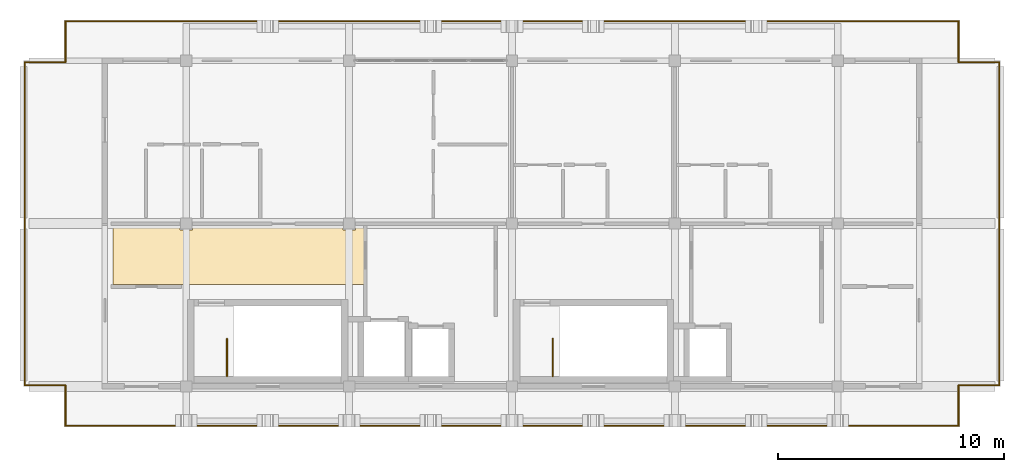
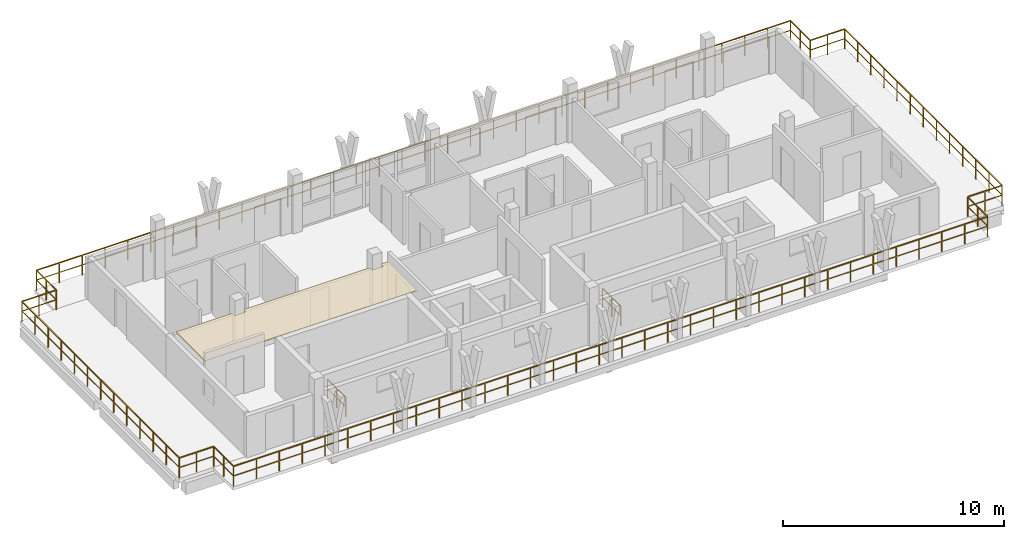
# One storey, part 7 of 7: 14 railings, 1 covering.
"""IFC4 building model written with IfcOpenShell, lengths in metres."""

from ifc_helpers import new_model, si_unit, direction, frame, origin, origin_2d, place, context, subcontext, project, spatial, polyline, rectangle, outline, extrude, material, layer, layer_set, type_object, element, save


model = new_model("IFC4")

# Units and contexts
model_context = context("Model", 3, precision=1e-05, world=origin(), true_north=direction((0.0, 1.0)))
body_context = subcontext(model_context, "Body", "Model", "MODEL_VIEW")
ifc_project = project(units=[si_unit("LENGTHUNIT", "METRE"), si_unit("AREAUNIT", "SQUARE_METRE"), si_unit("VOLUMEUNIT", "CUBIC_METRE"), si_unit("PLANEANGLEUNIT", "RADIAN"), si_unit("MASSUNIT", "GRAM", prefix="KILO")], contexts=[model_context])

# Site, building, storey
site_placement = place(None, origin())
site = spatial("IfcSite", under=ifc_project, at=site_placement, CompositionType="ELEMENT")
building_placement = place(site_placement, origin())
building = spatial("IfcBuilding", under=site, at=building_placement, Name="Suanplinth Sawtooth Commons", CompositionType="ELEMENT")
storey_placement = place(building_placement, frame((0.0, 0.0, 50.89990234375)))
storey = spatial("IfcBuildingStorey", under=building, at=storey_placement, Name="L15", CompositionType="ELEMENT", Elevation=50.89990234375)

# Covering
ifc_material_1 = material(Name="Mineral fibre acoustic tile")
ifc_layer = layer(ifc_material_1, 0.0400390625, Name="Perforated mineral-fibre acoustic suspended ceiling")
ifc_layer_set = layer_set([ifc_layer], Name="Mineral fibre acoustic tile")
covering_type = type_object("IfcCoveringType", Name="CV-CE01", PredefinedType="CEILING", material=ifc_layer_set)
covering_placement = place(storey_placement, frame((0.0, 0.0, 2.380126953125)))
element("IfcCovering", 1, at=covering_placement, inside=storey, type_object=covering_type, Name="L15 Block A Corridor Acoustic Ceiling", PredefinedType="CEILING", context=body_context, shape_type="SweptSolid", body=[
    extrude(outline(polyline([(39.9599609375, 112.5), (39.9599609375, 115.1201171875), (42.919921875, 115.1201171875), (42.919921875, 114.919921875), (43.47998046875, 114.919921875), (43.47998046875, 115.1201171875), (50.1201171875, 115.1201171875), (50.1201171875, 114.919921875), (50.679931640625, 114.919921875), (50.679931640625, 115.1201171875), (51.080078125, 115.1201171875), (51.080078125, 112.5), (39.9599609375, 112.5)])), origin(), (0.0, 0.0, 1.0), 0.0400390625),
])

# Railings
ifc_material_2 = material(Name="Powder-coated galvanized steel", Category="steel")
railing_type_1 = type_object("IfcRailingType", Name="GR-01", PredefinedType="BALUSTRADE", material=ifc_material_2)
railing_1_placement = place(storey_placement, frame((37.860107421875, 108.06005859375, 0.0)))
element("IfcRailing", 2, at=railing_1_placement, inside=storey, type_object=railing_type_1, Name="L15 Block A Perimeter Balustrade 1", PredefinedType="BALUSTRADE", context=body_context, shape_type="SweptSolid", body=[
    extrude(rectangle(XDim=0.048095703125, YDim=0.048095703125, at=origin_2d()), frame((0.0, 0.0, 1.09619140625), z_axis=(-1.0, 0.0, 0.0), x_axis=(0.0, -1.0, 0.0)), (0.0, 0.0, 1.0), 1.800048828125),
    extrude(rectangle(XDim=0.03369140625, YDim=0.03369140625, at=origin_2d()), frame((0.0, 0.0, 0.56005859375), z_axis=(-1.0, 0.0, 0.0), x_axis=(0.0, -1.0, 0.0)), (0.0, 0.0, 1.0), 1.800048828125),
    extrude(rectangle(XDim=0.0419921875, YDim=0.0419921875, at=origin_2d()), origin(), (0.0, 0.0, 1.0), 1.072021484375),
    extrude(rectangle(XDim=0.0419921875, YDim=0.0419921875, at=origin_2d()), frame((-0.89990234375, 0.0, 0.0)), (0.0, 0.0, 1.0), 1.072021484375),
    extrude(rectangle(XDim=0.0419921875, YDim=0.0419921875, at=origin_2d()), frame((-1.800048828125, 0.0, 0.0)), (0.0, 0.0, 1.0), 1.072021484375),
])
railing_2_placement = place(storey_placement, frame((36.06005859375, 108.06005859375, 0.0)))
element("IfcRailing", 3, at=railing_2_placement, inside=storey, type_object=railing_type_1, Name="L15 Block A Perimeter Balustrade 2", PredefinedType="BALUSTRADE", context=body_context, shape_type="SweptSolid", body=[
    extrude(rectangle(XDim=0.048095703125, YDim=0.048095703125, at=origin_2d()), frame((0.0, 0.0, 1.09619140625), z_axis=(0.0, 1.0, 0.0), x_axis=(-1.0, 0.0, 0.0)), (0.0, 0.0, 1.0), 14.280029296875),
    extrude(rectangle(XDim=0.03369140625, YDim=0.03369140625, at=origin_2d()), frame((0.0, 0.0, 0.56005859375), z_axis=(0.0, 1.0, 0.0), x_axis=(-1.0, 0.0, 0.0)), (0.0, 0.0, 1.0), 14.280029296875),
    extrude(rectangle(XDim=0.0419921875, YDim=0.0419921875, at=origin_2d()), origin(), (0.0, 0.0, 1.0), 1.072021484375),
    extrude(rectangle(XDim=0.0419921875, YDim=0.0419921875, at=origin_2d()), frame((0.0, 1.18994140625, 0.0)), (0.0, 0.0, 1.0), 1.072021484375),
    extrude(rectangle(XDim=0.0419921875, YDim=0.0419921875, at=origin_2d()), frame((0.0, 2.3798828125, 0.0)), (0.0, 0.0, 1.0), 1.072021484375),
    extrude(rectangle(XDim=0.0419921875, YDim=0.0419921875, at=origin_2d()), frame((0.0, 3.570068359375, 0.0)), (0.0, 0.0, 1.0), 1.072021484375),
    extrude(rectangle(XDim=0.0419921875, YDim=0.0419921875, at=origin_2d()), frame((0.0, 4.760009765625, 0.0)), (0.0, 0.0, 1.0), 1.072021484375),
    extrude(rectangle(XDim=0.0419921875, YDim=0.0419921875, at=origin_2d()), frame((0.0, 5.949951171875, 0.0)), (0.0, 0.0, 1.0), 1.072021484375),
    extrude(rectangle(XDim=0.0419921875, YDim=0.0419921875, at=origin_2d()), frame((0.0, 7.14013671875, 0.0)), (0.0, 0.0, 1.0), 1.072021484375),
    extrude(rectangle(XDim=0.0419921875, YDim=0.0419921875, at=origin_2d()), frame((0.0, 8.330078125, 0.0)), (0.0, 0.0, 1.0), 1.072021484375),
    extrude(rectangle(XDim=0.0419921875, YDim=0.0419921875, at=origin_2d()), frame((0.0, 9.52001953125, 0.0)), (0.0, 0.0, 1.0), 1.072021484375),
    extrude(rectangle(XDim=0.0419921875, YDim=0.0419921875, at=origin_2d()), frame((0.0, 10.7099609375, 0.0)), (0.0, 0.0, 1.0), 1.072021484375),
    extrude(rectangle(XDim=0.0419921875, YDim=0.0419921875, at=origin_2d()), frame((0.0, 11.89990234375, 0.0)), (0.0, 0.0, 1.0), 1.072021484375),
    extrude(rectangle(XDim=0.0419921875, YDim=0.0419921875, at=origin_2d()), frame((0.0, 13.090087890625, 0.0)), (0.0, 0.0, 1.0), 1.072021484375),
    extrude(rectangle(XDim=0.0419921875, YDim=0.0419921875, at=origin_2d()), frame((0.0, 14.280029296875, 0.0)), (0.0, 0.0, 1.0), 1.072021484375),
])
railing_3_placement = place(storey_placement, frame((36.06005859375, 122.340087890625, 0.0)))
element("IfcRailing", 4, at=railing_3_placement, inside=storey, type_object=railing_type_1, Name="L15 Block A Perimeter Balustrade 3", PredefinedType="BALUSTRADE", context=body_context, shape_type="SweptSolid", body=[
    extrude(rectangle(XDim=0.048095703125, YDim=0.048095703125, at=origin_2d()), frame((0.0, 0.0, 1.09619140625), z_axis=(1.0, 0.0, 0.0), x_axis=(0.0, 1.0, 0.0)), (0.0, 0.0, 1.0), 1.800048828125),
    extrude(rectangle(XDim=0.03369140625, YDim=0.03369140625, at=origin_2d()), frame((0.0, 0.0, 0.56005859375), z_axis=(1.0, 0.0, 0.0), x_axis=(0.0, 1.0, 0.0)), (0.0, 0.0, 1.0), 1.800048828125),
    extrude(rectangle(XDim=0.0419921875, YDim=0.0419921875, at=origin_2d()), origin(), (0.0, 0.0, 1.0), 1.072021484375),
    extrude(rectangle(XDim=0.0419921875, YDim=0.0419921875, at=origin_2d()), frame((0.89990234375, 0.0, 0.0)), (0.0, 0.0, 1.0), 1.072021484375),
    extrude(rectangle(XDim=0.0419921875, YDim=0.0419921875, at=origin_2d()), frame((1.800048828125, 0.0, 0.0)), (0.0, 0.0, 1.0), 1.072021484375),
])
railing_4_placement = place(storey_placement, frame((37.860107421875, 122.340087890625, 0.0)))
element("IfcRailing", 5, at=railing_4_placement, inside=storey, type_object=railing_type_1, Name="L15 Block A Perimeter Balustrade 4", PredefinedType="BALUSTRADE", context=body_context, shape_type="SweptSolid", body=[
    extrude(rectangle(XDim=0.048095703125, YDim=0.048095703125, at=origin_2d()), frame((0.0, 0.0, 1.09619140625), z_axis=(0.0, 1.0, 0.0), x_axis=(-1.0, 0.0, 0.0)), (0.0, 0.0, 1.0), 1.7998046875),
    extrude(rectangle(XDim=0.03369140625, YDim=0.03369140625, at=origin_2d()), frame((0.0, 0.0, 0.56005859375), z_axis=(0.0, 1.0, 0.0), x_axis=(-1.0, 0.0, 0.0)), (0.0, 0.0, 1.0), 1.7998046875),
    extrude(rectangle(XDim=0.0419921875, YDim=0.0419921875, at=origin_2d()), origin(), (0.0, 0.0, 1.0), 1.072021484375),
    extrude(rectangle(XDim=0.0419921875, YDim=0.0419921875, at=origin_2d()), frame((0.0, 0.89990234375, 0.0)), (0.0, 0.0, 1.0), 1.072021484375),
    extrude(rectangle(XDim=0.0419921875, YDim=0.0419921875, at=origin_2d()), frame((0.0, 1.7998046875, 0.0)), (0.0, 0.0, 1.0), 1.072021484375),
])
railing_5_placement = place(storey_placement, frame((37.860107421875, 124.139892578125, 0.0)))
element("IfcRailing", 6, at=railing_5_placement, inside=storey, type_object=railing_type_1, Name="L15 Block A Perimeter Balustrade 5", PredefinedType="BALUSTRADE", context=body_context, shape_type="SweptSolid", body=[
    extrude(rectangle(XDim=0.048095703125, YDim=0.048095703125, at=origin_2d()), frame((0.0, 0.0, 1.09619140625), z_axis=(1.0, 0.0, 0.0), x_axis=(0.0, 1.0, 0.0)), (0.0, 0.0, 1.0), 39.47998046875),
    extrude(rectangle(XDim=0.03369140625, YDim=0.03369140625, at=origin_2d()), frame((0.0, 0.0, 0.56005859375), z_axis=(1.0, 0.0, 0.0), x_axis=(0.0, 1.0, 0.0)), (0.0, 0.0, 1.0), 39.47998046875),
    extrude(rectangle(XDim=0.0419921875, YDim=0.0419921875, at=origin_2d()), origin(), (0.0, 0.0, 1.0), 1.072021484375),
    extrude(rectangle(XDim=0.0419921875, YDim=0.0419921875, at=origin_2d()), frame((1.1962890625, 0.0, 0.0)), (0.0, 0.0, 1.0), 1.072021484375),
    extrude(rectangle(XDim=0.0419921875, YDim=0.0419921875, at=origin_2d()), frame((2.392822265625, 0.0, 0.0)), (0.0, 0.0, 1.0), 1.072021484375),
    extrude(rectangle(XDim=0.0419921875, YDim=0.0419921875, at=origin_2d()), frame((3.589111328125, 0.0, 0.0)), (0.0, 0.0, 1.0), 1.072021484375),
    extrude(rectangle(XDim=0.0419921875, YDim=0.0419921875, at=origin_2d()), frame((4.785400390625, 0.0, 0.0)), (0.0, 0.0, 1.0), 1.072021484375),
    extrude(rectangle(XDim=0.0419921875, YDim=0.0419921875, at=origin_2d()), frame((5.98193359375, 0.0, 0.0)), (0.0, 0.0, 1.0), 1.072021484375),
    extrude(rectangle(XDim=0.0419921875, YDim=0.0419921875, at=origin_2d()), frame((7.17822265625, 0.0, 0.0)), (0.0, 0.0, 1.0), 1.072021484375),
    extrude(rectangle(XDim=0.0419921875, YDim=0.0419921875, at=origin_2d()), frame((8.37451171875, 0.0, 0.0)), (0.0, 0.0, 1.0), 1.072021484375),
    extrude(rectangle(XDim=0.0419921875, YDim=0.0419921875, at=origin_2d()), frame((9.57080078125, 0.0, 0.0)), (0.0, 0.0, 1.0), 1.072021484375),
    extrude(rectangle(XDim=0.0419921875, YDim=0.0419921875, at=origin_2d()), frame((10.767333984375, 0.0, 0.0)), (0.0, 0.0, 1.0), 1.072021484375),
    extrude(rectangle(XDim=0.0419921875, YDim=0.0419921875, at=origin_2d()), frame((11.963623046875, 0.0, 0.0)), (0.0, 0.0, 1.0), 1.072021484375),
    extrude(rectangle(XDim=0.0419921875, YDim=0.0419921875, at=origin_2d()), frame((13.159912109375, 0.0, 0.0)), (0.0, 0.0, 1.0), 1.072021484375),
    extrude(rectangle(XDim=0.0419921875, YDim=0.0419921875, at=origin_2d()), frame((14.3564453125, 0.0, 0.0)), (0.0, 0.0, 1.0), 1.072021484375),
    extrude(rectangle(XDim=0.0419921875, YDim=0.0419921875, at=origin_2d()), frame((15.552734375, 0.0, 0.0)), (0.0, 0.0, 1.0), 1.072021484375),
    extrude(rectangle(XDim=0.0419921875, YDim=0.0419921875, at=origin_2d()), frame((16.7490234375, 0.0, 0.0)), (0.0, 0.0, 1.0), 1.072021484375),
    extrude(rectangle(XDim=0.0419921875, YDim=0.0419921875, at=origin_2d()), frame((17.945556640625, 0.0, 0.0)), (0.0, 0.0, 1.0), 1.072021484375),
    extrude(rectangle(XDim=0.0419921875, YDim=0.0419921875, at=origin_2d()), frame((19.141845703125, 0.0, 0.0)), (0.0, 0.0, 1.0), 1.072021484375),
    extrude(rectangle(XDim=0.0419921875, YDim=0.0419921875, at=origin_2d()), frame((20.338134765625, 0.0, 0.0)), (0.0, 0.0, 1.0), 1.072021484375),
    extrude(rectangle(XDim=0.0419921875, YDim=0.0419921875, at=origin_2d()), frame((21.534423828125, 0.0, 0.0)), (0.0, 0.0, 1.0), 1.072021484375),
    extrude(rectangle(XDim=0.0419921875, YDim=0.0419921875, at=origin_2d()), frame((22.73095703125, 0.0, 0.0)), (0.0, 0.0, 1.0), 1.072021484375),
    extrude(rectangle(XDim=0.0419921875, YDim=0.0419921875, at=origin_2d()), frame((23.92724609375, 0.0, 0.0)), (0.0, 0.0, 1.0), 1.072021484375),
    extrude(rectangle(XDim=0.0419921875, YDim=0.0419921875, at=origin_2d()), frame((25.12353515625, 0.0, 0.0)), (0.0, 0.0, 1.0), 1.072021484375),
    extrude(rectangle(XDim=0.0419921875, YDim=0.0419921875, at=origin_2d()), frame((26.320068359375, 0.0, 0.0)), (0.0, 0.0, 1.0), 1.072021484375),
    extrude(rectangle(XDim=0.0419921875, YDim=0.0419921875, at=origin_2d()), frame((27.516357421875, 0.0, 0.0)), (0.0, 0.0, 1.0), 1.072021484375),
    extrude(rectangle(XDim=0.0419921875, YDim=0.0419921875, at=origin_2d()), frame((28.712646484375, 0.0, 0.0)), (0.0, 0.0, 1.0), 1.072021484375),
    extrude(rectangle(XDim=0.0419921875, YDim=0.0419921875, at=origin_2d()), frame((29.9091796875, 0.0, 0.0)), (0.0, 0.0, 1.0), 1.072021484375),
    extrude(rectangle(XDim=0.0419921875, YDim=0.0419921875, at=origin_2d()), frame((31.10546875, 0.0, 0.0)), (0.0, 0.0, 1.0), 1.072021484375),
    extrude(rectangle(XDim=0.0419921875, YDim=0.0419921875, at=origin_2d()), frame((32.3017578125, 0.0, 0.0)), (0.0, 0.0, 1.0), 1.072021484375),
    extrude(rectangle(XDim=0.0419921875, YDim=0.0419921875, at=origin_2d()), frame((33.498046875, 0.0, 0.0)), (0.0, 0.0, 1.0), 1.072021484375),
    extrude(rectangle(XDim=0.0419921875, YDim=0.0419921875, at=origin_2d()), frame((34.694580078125, 0.0, 0.0)), (0.0, 0.0, 1.0), 1.072021484375),
    extrude(rectangle(XDim=0.0419921875, YDim=0.0419921875, at=origin_2d()), frame((35.890869140625, 0.0, 0.0)), (0.0, 0.0, 1.0), 1.072021484375),
    extrude(rectangle(XDim=0.0419921875, YDim=0.0419921875, at=origin_2d()), frame((37.087158203125, 0.0, 0.0)), (0.0, 0.0, 1.0), 1.072021484375),
    extrude(rectangle(XDim=0.0419921875, YDim=0.0419921875, at=origin_2d()), frame((38.28369140625, 0.0, 0.0)), (0.0, 0.0, 1.0), 1.072021484375),
    extrude(rectangle(XDim=0.0419921875, YDim=0.0419921875, at=origin_2d()), frame((39.47998046875, 0.0, 0.0)), (0.0, 0.0, 1.0), 1.072021484375),
])
railing_6_placement = place(storey_placement, frame((77.340087890625, 124.139892578125, 0.0)))
element("IfcRailing", 7, at=railing_6_placement, inside=storey, type_object=railing_type_1, Name="L15 Block A Perimeter Balustrade 6", PredefinedType="BALUSTRADE", context=body_context, shape_type="SweptSolid", body=[
    extrude(rectangle(XDim=0.048095703125, YDim=0.048095703125, at=origin_2d()), frame((0.0, 0.0, 1.09619140625), z_axis=(0.0, -1.0, 0.0), x_axis=(1.0, 0.0, 0.0)), (0.0, 0.0, 1.0), 1.7998046875),
    extrude(rectangle(XDim=0.03369140625, YDim=0.03369140625, at=origin_2d()), frame((0.0, 0.0, 0.56005859375), z_axis=(0.0, -1.0, 0.0), x_axis=(1.0, 0.0, 0.0)), (0.0, 0.0, 1.0), 1.7998046875),
    extrude(rectangle(XDim=0.0419921875, YDim=0.0419921875, at=origin_2d()), origin(), (0.0, 0.0, 1.0), 1.072021484375),
    extrude(rectangle(XDim=0.0419921875, YDim=0.0419921875, at=origin_2d()), frame((0.0, -0.89990234375, 0.0)), (0.0, 0.0, 1.0), 1.072021484375),
    extrude(rectangle(XDim=0.0419921875, YDim=0.0419921875, at=origin_2d()), frame((0.0, -1.7998046875, 0.0)), (0.0, 0.0, 1.0), 1.072021484375),
])
railing_7_placement = place(storey_placement, frame((77.340087890625, 122.340087890625, 0.0)))
element("IfcRailing", 8, at=railing_7_placement, inside=storey, type_object=railing_type_1, Name="L15 Block A Perimeter Balustrade 7", PredefinedType="BALUSTRADE", context=body_context, shape_type="SweptSolid", body=[
    extrude(rectangle(XDim=0.048095703125, YDim=0.048095703125, at=origin_2d()), frame((0.0, 0.0, 1.09619140625), z_axis=(1.0, 0.0, 0.0), x_axis=(0.0, 1.0, 0.0)), (0.0, 0.0, 1.0), 1.7998046875),
    extrude(rectangle(XDim=0.03369140625, YDim=0.03369140625, at=origin_2d()), frame((0.0, 0.0, 0.56005859375), z_axis=(1.0, 0.0, 0.0), x_axis=(0.0, 1.0, 0.0)), (0.0, 0.0, 1.0), 1.7998046875),
    extrude(rectangle(XDim=0.0419921875, YDim=0.0419921875, at=origin_2d()), origin(), (0.0, 0.0, 1.0), 1.072021484375),
    extrude(rectangle(XDim=0.0419921875, YDim=0.0419921875, at=origin_2d()), frame((0.89990234375, 0.0, 0.0)), (0.0, 0.0, 1.0), 1.072021484375),
    extrude(rectangle(XDim=0.0419921875, YDim=0.0419921875, at=origin_2d()), frame((1.7998046875, 0.0, 0.0)), (0.0, 0.0, 1.0), 1.072021484375),
])
railing_8_placement = place(storey_placement, frame((79.139892578125, 122.340087890625, 0.0)))
element("IfcRailing", 9, at=railing_8_placement, inside=storey, type_object=railing_type_1, Name="L15 Block A Perimeter Balustrade 8", PredefinedType="BALUSTRADE", context=body_context, shape_type="SweptSolid", body=[
    extrude(rectangle(XDim=0.048095703125, YDim=0.048095703125, at=origin_2d()), frame((0.0, 0.0, 1.09619140625), z_axis=(0.0, -1.0, 0.0), x_axis=(1.0, 0.0, 0.0)), (0.0, 0.0, 1.0), 14.280029296875),
    extrude(rectangle(XDim=0.03369140625, YDim=0.03369140625, at=origin_2d()), frame((0.0, 0.0, 0.56005859375), z_axis=(0.0, -1.0, 0.0), x_axis=(1.0, 0.0, 0.0)), (0.0, 0.0, 1.0), 14.280029296875),
    extrude(rectangle(XDim=0.0419921875, YDim=0.0419921875, at=origin_2d()), origin(), (0.0, 0.0, 1.0), 1.072021484375),
    extrude(rectangle(XDim=0.0419921875, YDim=0.0419921875, at=origin_2d()), frame((0.0, -1.18994140625, 0.0)), (0.0, 0.0, 1.0), 1.072021484375),
    extrude(rectangle(XDim=0.0419921875, YDim=0.0419921875, at=origin_2d()), frame((0.0, -2.3798828125, 0.0)), (0.0, 0.0, 1.0), 1.072021484375),
    extrude(rectangle(XDim=0.0419921875, YDim=0.0419921875, at=origin_2d()), frame((0.0, -3.570068359375, 0.0)), (0.0, 0.0, 1.0), 1.072021484375),
    extrude(rectangle(XDim=0.0419921875, YDim=0.0419921875, at=origin_2d()), frame((0.0, -4.760009765625, 0.0)), (0.0, 0.0, 1.0), 1.072021484375),
    extrude(rectangle(XDim=0.0419921875, YDim=0.0419921875, at=origin_2d()), frame((0.0, -5.949951171875, 0.0)), (0.0, 0.0, 1.0), 1.072021484375),
    extrude(rectangle(XDim=0.0419921875, YDim=0.0419921875, at=origin_2d()), frame((0.0, -7.14013671875, 0.0)), (0.0, 0.0, 1.0), 1.072021484375),
    extrude(rectangle(XDim=0.0419921875, YDim=0.0419921875, at=origin_2d()), frame((0.0, -8.330078125, 0.0)), (0.0, 0.0, 1.0), 1.072021484375),
    extrude(rectangle(XDim=0.0419921875, YDim=0.0419921875, at=origin_2d()), frame((0.0, -9.52001953125, 0.0)), (0.0, 0.0, 1.0), 1.072021484375),
    extrude(rectangle(XDim=0.0419921875, YDim=0.0419921875, at=origin_2d()), frame((0.0, -10.7099609375, 0.0)), (0.0, 0.0, 1.0), 1.072021484375),
    extrude(rectangle(XDim=0.0419921875, YDim=0.0419921875, at=origin_2d()), frame((0.0, -11.89990234375, 0.0)), (0.0, 0.0, 1.0), 1.072021484375),
    extrude(rectangle(XDim=0.0419921875, YDim=0.0419921875, at=origin_2d()), frame((0.0, -13.090087890625, 0.0)), (0.0, 0.0, 1.0), 1.072021484375),
    extrude(rectangle(XDim=0.0419921875, YDim=0.0419921875, at=origin_2d()), frame((0.0, -14.280029296875, 0.0)), (0.0, 0.0, 1.0), 1.072021484375),
])
railing_9_placement = place(storey_placement, frame((79.139892578125, 108.06005859375, 0.0)))
element("IfcRailing", 10, at=railing_9_placement, inside=storey, type_object=railing_type_1, Name="L15 Block A Perimeter Balustrade 9", PredefinedType="BALUSTRADE", context=body_context, shape_type="SweptSolid", body=[
    extrude(rectangle(XDim=0.048095703125, YDim=0.048095703125, at=origin_2d()), frame((0.0, 0.0, 1.09619140625), z_axis=(-1.0, 0.0, 0.0), x_axis=(0.0, -1.0, 0.0)), (0.0, 0.0, 1.0), 1.7998046875),
    extrude(rectangle(XDim=0.03369140625, YDim=0.03369140625, at=origin_2d()), frame((0.0, 0.0, 0.56005859375), z_axis=(-1.0, 0.0, 0.0), x_axis=(0.0, -1.0, 0.0)), (0.0, 0.0, 1.0), 1.7998046875),
    extrude(rectangle(XDim=0.0419921875, YDim=0.0419921875, at=origin_2d()), origin(), (0.0, 0.0, 1.0), 1.072021484375),
    extrude(rectangle(XDim=0.0419921875, YDim=0.0419921875, at=origin_2d()), frame((-0.89990234375, 0.0, 0.0)), (0.0, 0.0, 1.0), 1.072021484375),
    extrude(rectangle(XDim=0.0419921875, YDim=0.0419921875, at=origin_2d()), frame((-1.7998046875, 0.0, 0.0)), (0.0, 0.0, 1.0), 1.072021484375),
])
railing_10_placement = place(storey_placement, frame((77.340087890625, 108.06005859375, 0.0)))
element("IfcRailing", 11, at=railing_10_placement, inside=storey, type_object=railing_type_1, Name="L15 Block A Perimeter Balustrade 10", PredefinedType="BALUSTRADE", context=body_context, shape_type="SweptSolid", body=[
    extrude(rectangle(XDim=0.048095703125, YDim=0.048095703125, at=origin_2d()), frame((0.0, 0.0, 1.09619140625), z_axis=(0.0, -1.0, 0.0), x_axis=(1.0, 0.0, 0.0)), (0.0, 0.0, 1.0), 1.800048828125),
    extrude(rectangle(XDim=0.03369140625, YDim=0.03369140625, at=origin_2d()), frame((0.0, 0.0, 0.56005859375), z_axis=(0.0, -1.0, 0.0), x_axis=(1.0, 0.0, 0.0)), (0.0, 0.0, 1.0), 1.800048828125),
    extrude(rectangle(XDim=0.0419921875, YDim=0.0419921875, at=origin_2d()), origin(), (0.0, 0.0, 1.0), 1.072021484375),
    extrude(rectangle(XDim=0.0419921875, YDim=0.0419921875, at=origin_2d()), frame((0.0, -0.89990234375, 0.0)), (0.0, 0.0, 1.0), 1.072021484375),
    extrude(rectangle(XDim=0.0419921875, YDim=0.0419921875, at=origin_2d()), frame((0.0, -1.800048828125, 0.0)), (0.0, 0.0, 1.0), 1.072021484375),
])
railing_11_placement = place(storey_placement, frame((77.340087890625, 106.260009765625, 0.0)))
element("IfcRailing", 12, at=railing_11_placement, inside=storey, type_object=railing_type_1, Name="L15 Block A Perimeter Balustrade 11", PredefinedType="BALUSTRADE", context=body_context, shape_type="SweptSolid", body=[
    extrude(rectangle(XDim=0.048095703125, YDim=0.048095703125, at=origin_2d()), frame((0.0, 0.0, 1.09619140625), z_axis=(-1.0, 0.0, 0.0), x_axis=(0.0, -1.0, 0.0)), (0.0, 0.0, 1.0), 39.47998046875),
    extrude(rectangle(XDim=0.03369140625, YDim=0.03369140625, at=origin_2d()), frame((0.0, 0.0, 0.56005859375), z_axis=(-1.0, 0.0, 0.0), x_axis=(0.0, -1.0, 0.0)), (0.0, 0.0, 1.0), 39.47998046875),
    extrude(rectangle(XDim=0.0419921875, YDim=0.0419921875, at=origin_2d()), origin(), (0.0, 0.0, 1.0), 1.072021484375),
    extrude(rectangle(XDim=0.0419921875, YDim=0.0419921875, at=origin_2d()), frame((-1.1962890625, 0.0, 0.0)), (0.0, 0.0, 1.0), 1.072021484375),
    extrude(rectangle(XDim=0.0419921875, YDim=0.0419921875, at=origin_2d()), frame((-2.392822265625, 0.0, 0.0)), (0.0, 0.0, 1.0), 1.072021484375),
    extrude(rectangle(XDim=0.0419921875, YDim=0.0419921875, at=origin_2d()), frame((-3.589111328125, 0.0, 0.0)), (0.0, 0.0, 1.0), 1.072021484375),
    extrude(rectangle(XDim=0.0419921875, YDim=0.0419921875, at=origin_2d()), frame((-4.785400390625, 0.0, 0.0)), (0.0, 0.0, 1.0), 1.072021484375),
    extrude(rectangle(XDim=0.0419921875, YDim=0.0419921875, at=origin_2d()), frame((-5.98193359375, 0.0, 0.0)), (0.0, 0.0, 1.0), 1.072021484375),
    extrude(rectangle(XDim=0.0419921875, YDim=0.0419921875, at=origin_2d()), frame((-7.17822265625, 0.0, 0.0)), (0.0, 0.0, 1.0), 1.072021484375),
    extrude(rectangle(XDim=0.0419921875, YDim=0.0419921875, at=origin_2d()), frame((-8.37451171875, 0.0, 0.0)), (0.0, 0.0, 1.0), 1.072021484375),
    extrude(rectangle(XDim=0.0419921875, YDim=0.0419921875, at=origin_2d()), frame((-9.57080078125, 0.0, 0.0)), (0.0, 0.0, 1.0), 1.072021484375),
    extrude(rectangle(XDim=0.0419921875, YDim=0.0419921875, at=origin_2d()), frame((-10.767333984375, 0.0, 0.0)), (0.0, 0.0, 1.0), 1.072021484375),
    extrude(rectangle(XDim=0.0419921875, YDim=0.0419921875, at=origin_2d()), frame((-11.963623046875, 0.0, 0.0)), (0.0, 0.0, 1.0), 1.072021484375),
    extrude(rectangle(XDim=0.0419921875, YDim=0.0419921875, at=origin_2d()), frame((-13.159912109375, 0.0, 0.0)), (0.0, 0.0, 1.0), 1.072021484375),
    extrude(rectangle(XDim=0.0419921875, YDim=0.0419921875, at=origin_2d()), frame((-14.3564453125, 0.0, 0.0)), (0.0, 0.0, 1.0), 1.072021484375),
    extrude(rectangle(XDim=0.0419921875, YDim=0.0419921875, at=origin_2d()), frame((-15.552734375, 0.0, 0.0)), (0.0, 0.0, 1.0), 1.072021484375),
    extrude(rectangle(XDim=0.0419921875, YDim=0.0419921875, at=origin_2d()), frame((-16.7490234375, 0.0, 0.0)), (0.0, 0.0, 1.0), 1.072021484375),
    extrude(rectangle(XDim=0.0419921875, YDim=0.0419921875, at=origin_2d()), frame((-17.945556640625, 0.0, 0.0)), (0.0, 0.0, 1.0), 1.072021484375),
    extrude(rectangle(XDim=0.0419921875, YDim=0.0419921875, at=origin_2d()), frame((-19.141845703125, 0.0, 0.0)), (0.0, 0.0, 1.0), 1.072021484375),
    extrude(rectangle(XDim=0.0419921875, YDim=0.0419921875, at=origin_2d()), frame((-20.338134765625, 0.0, 0.0)), (0.0, 0.0, 1.0), 1.072021484375),
    extrude(rectangle(XDim=0.0419921875, YDim=0.0419921875, at=origin_2d()), frame((-21.534423828125, 0.0, 0.0)), (0.0, 0.0, 1.0), 1.072021484375),
    extrude(rectangle(XDim=0.0419921875, YDim=0.0419921875, at=origin_2d()), frame((-22.73095703125, 0.0, 0.0)), (0.0, 0.0, 1.0), 1.072021484375),
    extrude(rectangle(XDim=0.0419921875, YDim=0.0419921875, at=origin_2d()), frame((-23.92724609375, 0.0, 0.0)), (0.0, 0.0, 1.0), 1.072021484375),
    extrude(rectangle(XDim=0.0419921875, YDim=0.0419921875, at=origin_2d()), frame((-25.12353515625, 0.0, 0.0)), (0.0, 0.0, 1.0), 1.072021484375),
    extrude(rectangle(XDim=0.0419921875, YDim=0.0419921875, at=origin_2d()), frame((-26.320068359375, 0.0, 0.0)), (0.0, 0.0, 1.0), 1.072021484375),
    extrude(rectangle(XDim=0.0419921875, YDim=0.0419921875, at=origin_2d()), frame((-27.516357421875, 0.0, 0.0)), (0.0, 0.0, 1.0), 1.072021484375),
    extrude(rectangle(XDim=0.0419921875, YDim=0.0419921875, at=origin_2d()), frame((-28.712646484375, 0.0, 0.0)), (0.0, 0.0, 1.0), 1.072021484375),
    extrude(rectangle(XDim=0.0419921875, YDim=0.0419921875, at=origin_2d()), frame((-29.9091796875, 0.0, 0.0)), (0.0, 0.0, 1.0), 1.072021484375),
    extrude(rectangle(XDim=0.0419921875, YDim=0.0419921875, at=origin_2d()), frame((-31.10546875, 0.0, 0.0)), (0.0, 0.0, 1.0), 1.072021484375),
    extrude(rectangle(XDim=0.0419921875, YDim=0.0419921875, at=origin_2d()), frame((-32.3017578125, 0.0, 0.0)), (0.0, 0.0, 1.0), 1.072021484375),
    extrude(rectangle(XDim=0.0419921875, YDim=0.0419921875, at=origin_2d()), frame((-33.498046875, 0.0, 0.0)), (0.0, 0.0, 1.0), 1.072021484375),
    extrude(rectangle(XDim=0.0419921875, YDim=0.0419921875, at=origin_2d()), frame((-34.694580078125, 0.0, 0.0)), (0.0, 0.0, 1.0), 1.072021484375),
    extrude(rectangle(XDim=0.0419921875, YDim=0.0419921875, at=origin_2d()), frame((-35.890869140625, 0.0, 0.0)), (0.0, 0.0, 1.0), 1.072021484375),
    extrude(rectangle(XDim=0.0419921875, YDim=0.0419921875, at=origin_2d()), frame((-37.087158203125, 0.0, 0.0)), (0.0, 0.0, 1.0), 1.072021484375),
    extrude(rectangle(XDim=0.0419921875, YDim=0.0419921875, at=origin_2d()), frame((-38.28369140625, 0.0, 0.0)), (0.0, 0.0, 1.0), 1.072021484375),
    extrude(rectangle(XDim=0.0419921875, YDim=0.0419921875, at=origin_2d()), frame((-39.47998046875, 0.0, 0.0)), (0.0, 0.0, 1.0), 1.072021484375),
])
railing_12_placement = place(storey_placement, frame((37.860107421875, 106.260009765625, 0.0)))
element("IfcRailing", 13, at=railing_12_placement, inside=storey, type_object=railing_type_1, Name="L15 Block A Perimeter Balustrade 12", PredefinedType="BALUSTRADE", context=body_context, shape_type="SweptSolid", body=[
    extrude(rectangle(XDim=0.048095703125, YDim=0.048095703125, at=origin_2d()), frame((0.0, 0.0, 1.09619140625), z_axis=(0.0, 1.0, 0.0), x_axis=(-1.0, 0.0, 0.0)), (0.0, 0.0, 1.0), 1.800048828125),
    extrude(rectangle(XDim=0.03369140625, YDim=0.03369140625, at=origin_2d()), frame((0.0, 0.0, 0.56005859375), z_axis=(0.0, 1.0, 0.0), x_axis=(-1.0, 0.0, 0.0)), (0.0, 0.0, 1.0), 1.800048828125),
    extrude(rectangle(XDim=0.0419921875, YDim=0.0419921875, at=origin_2d()), origin(), (0.0, 0.0, 1.0), 1.072021484375),
    extrude(rectangle(XDim=0.0419921875, YDim=0.0419921875, at=origin_2d()), frame((0.0, 0.89990234375, 0.0)), (0.0, 0.0, 1.0), 1.072021484375),
    extrude(rectangle(XDim=0.0419921875, YDim=0.0419921875, at=origin_2d()), frame((0.0, 1.800048828125, 0.0)), (0.0, 0.0, 1.0), 1.072021484375),
])
ifc_material_3 = material(Name="Stainless steel Grade 304", Category="steel")
railing_type_2 = type_object("IfcRailingType", Name="GR-04", PredefinedType="GUARDRAIL", material=ifc_material_3)
for number, where, name in (
    (14, (45.0, 108.449951171875, 0.0), "L15 ST-N1 Top Well Guard 1"),
    (15, (59.39990234375, 108.449951171875, 0.0), "L15 ST-N2 Top Well Guard 1"),
):
    element("IfcRailing", number, at=place(storey_placement, frame(where)), inside=storey, type_object=railing_type_2, Name=name, PredefinedType="GUARDRAIL", context=body_context, shape_type="SweptSolid", body=[
        extrude(rectangle(XDim=0.048095703125, YDim=0.048095703125, at=origin_2d()), frame((0.0, 0.0, 1.076171875), z_axis=(0.0, 1.0, 0.0), x_axis=(-1.0, 0.0, 0.0)), (0.0, 0.0, 1.0), 1.650146484375),
        extrude(rectangle(XDim=0.03369140625, YDim=0.03369140625, at=origin_2d()), frame((0.0, 0.0, 0.550048828125), z_axis=(0.0, 1.0, 0.0), x_axis=(-1.0, 0.0, 0.0)), (0.0, 0.0, 1.0), 1.650146484375),
        extrude(rectangle(XDim=0.0419921875, YDim=0.0419921875, at=origin_2d()), origin(), (0.0, 0.0, 1.0), 1.052001953125),
        extrude(rectangle(XDim=0.0419921875, YDim=0.0419921875, at=origin_2d()), frame((0.0, 0.8251953125, 0.0)), (0.0, 0.0, 1.0), 1.052001953125),
        extrude(rectangle(XDim=0.0419921875, YDim=0.0419921875, at=origin_2d()), frame((0.0, 1.650146484375, 0.0)), (0.0, 0.0, 1.0), 1.052001953125),
    ])

save(model, "model.ifc")
